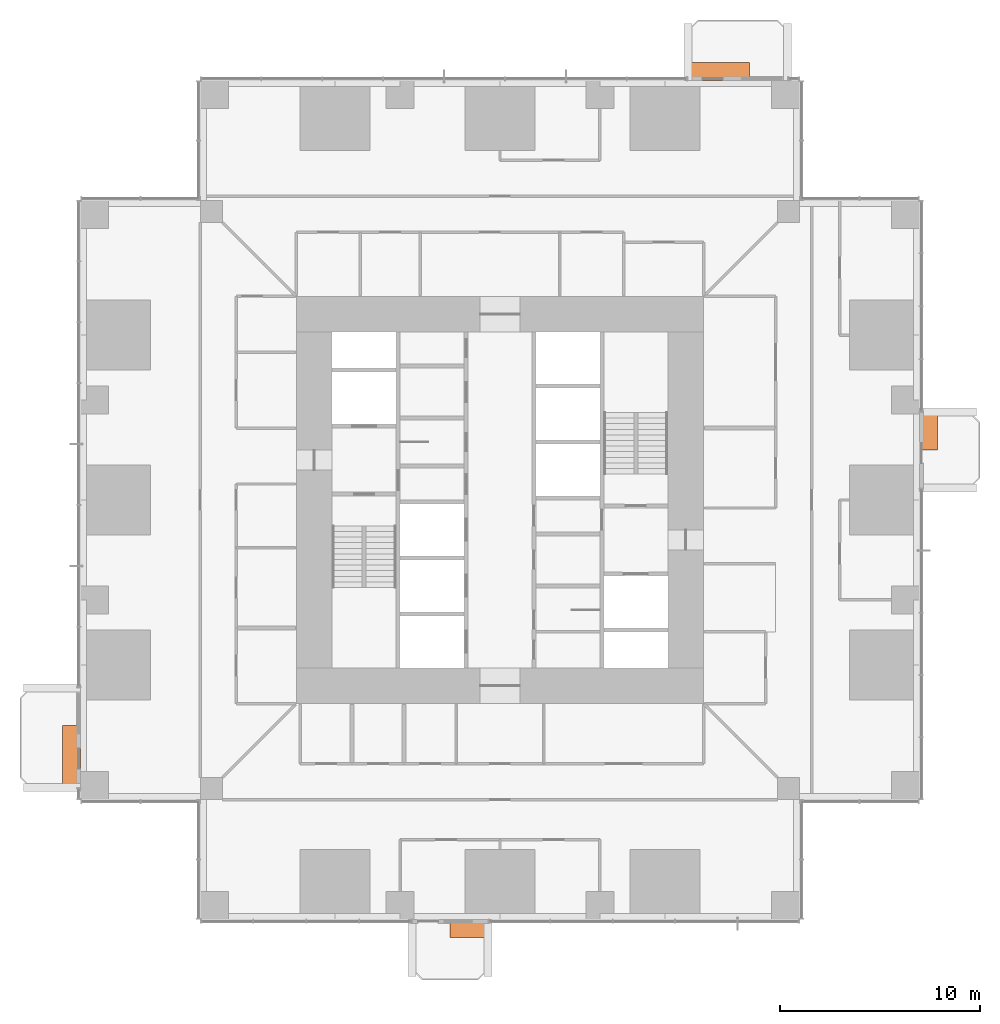
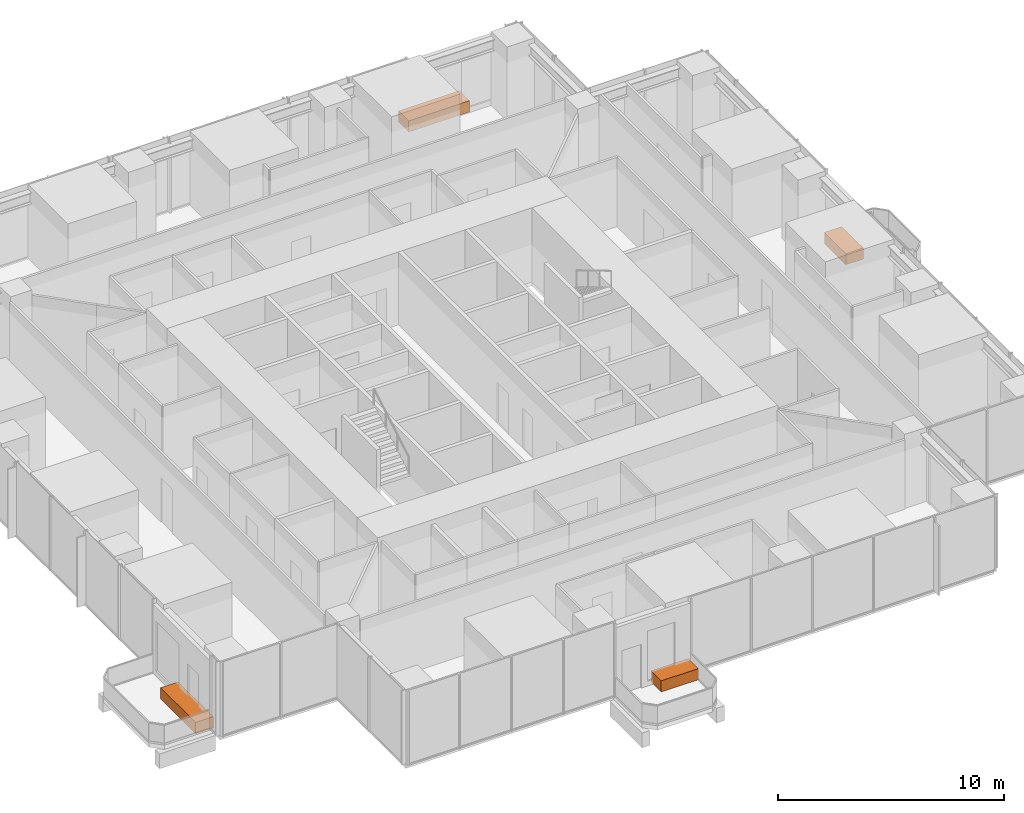
# One storey, part 17 of 17: 4 proxies.
"""IFC4 building model written with IfcOpenShell, lengths in metres."""

from ifc_helpers import new_model, si_unit, direction, frame, origin, origin_2d, place, context, subcontext, project, spatial, rectangle, extrude, element, save


model = new_model("IFC4")

# Units and contexts
model_context = context("Model", 3, precision=1e-05, world=origin(), true_north=direction((0.0, 1.0)))
body_context = subcontext(model_context, "Body", "Model", "MODEL_VIEW")
ifc_project = project(units=[si_unit("LENGTHUNIT", "METRE"), si_unit("AREAUNIT", "SQUARE_METRE"), si_unit("VOLUMEUNIT", "CUBIC_METRE"), si_unit("PLANEANGLEUNIT", "RADIAN"), si_unit("MASSUNIT", "GRAM", prefix="KILO")], contexts=[model_context])

# Site, building, storey
site_placement = place(None, origin())
site = spatial("IfcSite", under=ifc_project, at=site_placement, CompositionType="ELEMENT")
building_placement = place(site_placement, origin())
building = spatial("IfcBuilding", under=site, at=building_placement, Name="Svetlomir Tower", CompositionType="ELEMENT")
storey_placement = place(building_placement, frame((0.0, 0.0, 62.5)))
storey = spatial("IfcBuildingStorey", under=building, at=storey_placement, Name="L14", CompositionType="ELEMENT", Elevation=62.5)

# Proxies
proxy_1_placement = place(storey_placement, frame((19.449951171875, -0.449951171875, 0.0400390625), z_axis=(0.0, 0.0, 1.0), x_axis=(1.0, 0.0, 0.0)))
element("IfcBuildingElementProxy", 1, at=proxy_1_placement, inside=storey, Name="Tree planter S L14", ObjectType="PLANTER", PredefinedType="USERDEFINED", context=body_context, shape_type="SweptSolid", body=[
    extrude(rectangle(XDim=1.89990234375, YDim=0.89990234375, at=origin_2d()), origin(), (0.0, 0.0, 1.0), 0.60009765625),
])
proxy_2_placement = place(storey_placement, frame((42.449951171875, 24.449951171875, 0.0400390625), z_axis=(0.0, 0.0, 1.0), x_axis=(1.0, 0.0, 0.0)))
element("IfcBuildingElementProxy", 2, at=proxy_2_placement, inside=storey, Name="Tree planter E L14", ObjectType="PLANTER", PredefinedType="USERDEFINED", context=body_context, shape_type="SweptSolid", body=[
    extrude(rectangle(XDim=0.89990234375, YDim=1.89990234375, at=origin_2d()), origin(), (0.0, 0.0, 1.0), 0.60009765625),
])
proxy_3_placement = place(storey_placement, frame((31.949951171875, 42.449951171875, 0.0400390625), z_axis=(0.0, 0.0, 1.0), x_axis=(1.0, 0.0, 0.0)))
element("IfcBuildingElementProxy", 3, at=proxy_3_placement, inside=storey, Name="Tree planter N L14", ObjectType="PLANTER", PredefinedType="USERDEFINED", context=body_context, shape_type="SweptSolid", body=[
    extrude(rectangle(XDim=3.10009765625, YDim=0.89990234375, at=origin_2d()), origin(), (0.0, 0.0, 1.0), 0.60009765625),
])
proxy_4_placement = place(storey_placement, frame((-0.449951171875, 8.14990234375, 0.0400390625), z_axis=(0.0, 0.0, 1.0), x_axis=(1.0, 0.0, 0.0)))
element("IfcBuildingElementProxy", 4, at=proxy_4_placement, inside=storey, Name="Tree planter W L14", ObjectType="PLANTER", PredefinedType="USERDEFINED", context=body_context, shape_type="SweptSolid", body=[
    extrude(rectangle(XDim=0.89990234375, YDim=3.10009765625, at=origin_2d()), origin(), (0.0, 0.0, 1.0), 0.60009765625),
])

save(model, "model.ifc")
